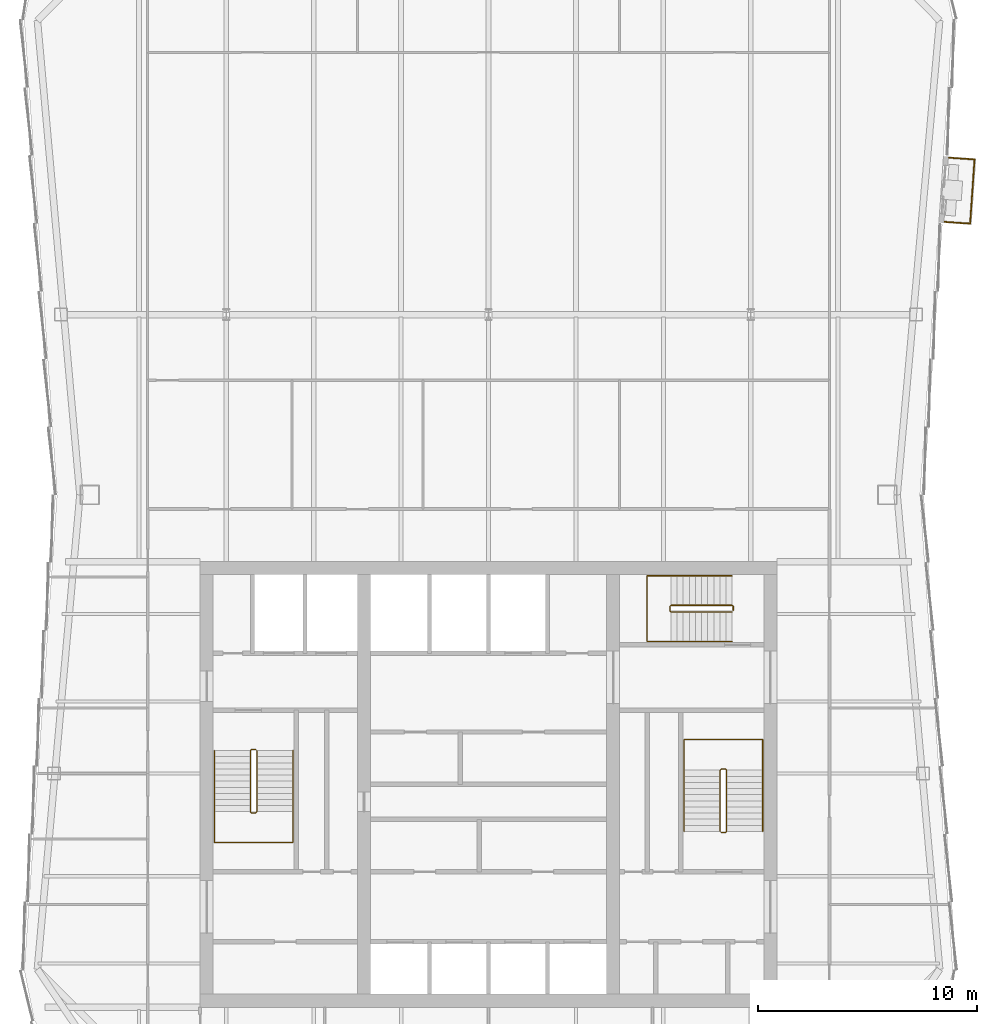
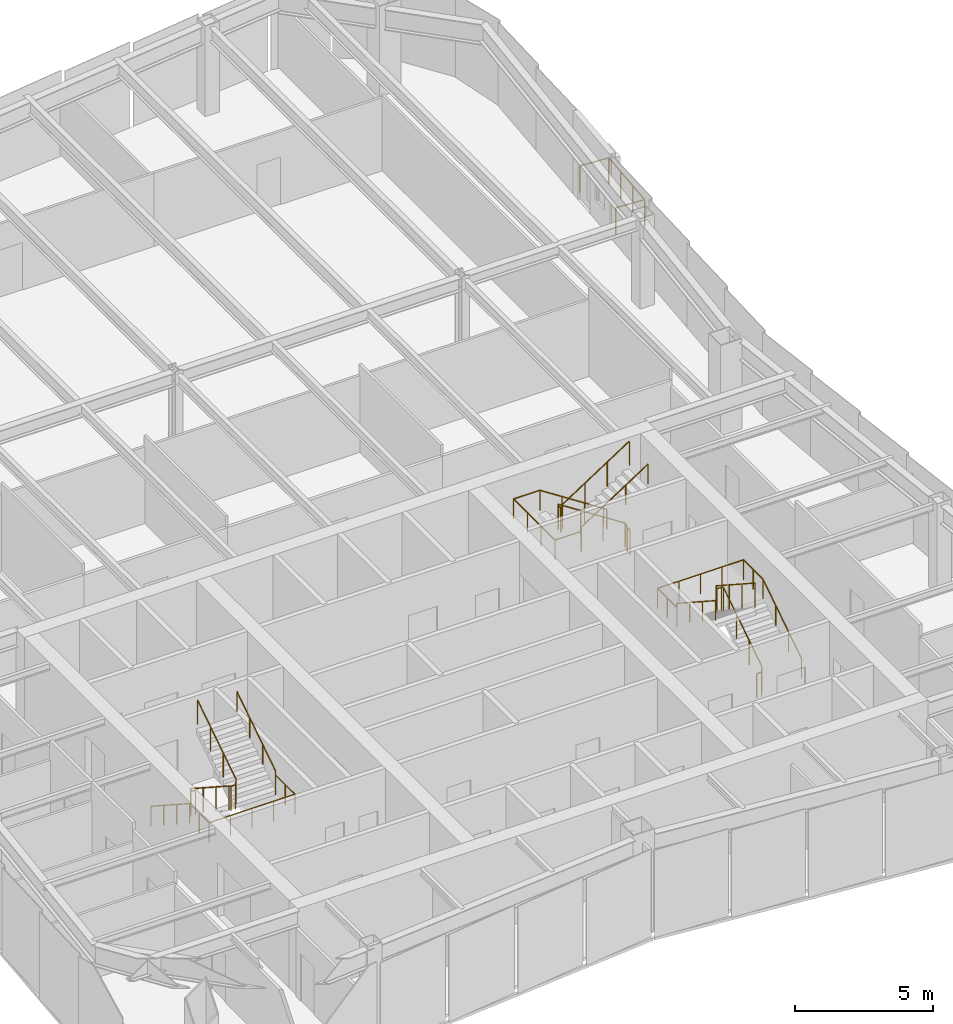
# One storey, part 9 of 10: 7 railings.
"""IFC4 building model written with IfcOpenShell, lengths in metres."""

from ifc_helpers import new_model, si_unit, direction, frame, origin, origin_2d, place, context, subcontext, project, spatial, circle, extrude, material, type_object, element, save


model = new_model("IFC4")

# Units and contexts
model_context = context("Model", 3, precision=1e-05, world=origin(), true_north=direction((0.0, 1.0)))
body_context = subcontext(model_context, "Body", "Model", "MODEL_VIEW")
ifc_project = project(units=[si_unit("LENGTHUNIT", "METRE"), si_unit("AREAUNIT", "SQUARE_METRE"), si_unit("VOLUMEUNIT", "CUBIC_METRE"), si_unit("PLANEANGLEUNIT", "RADIAN"), si_unit("MASSUNIT", "GRAM", prefix="KILO")], contexts=[model_context])

# Site, building, storey
site_placement = place(None, origin())
site = spatial("IfcSite", under=ifc_project, at=site_placement, CompositionType="ELEMENT")
building_placement = place(site_placement, origin())
building = spatial("IfcBuilding", under=site, at=building_placement, Name="Verdant Reach Tower", CompositionType="ELEMENT")
storey_placement = place(building_placement, frame((0.0, 0.0, 322.0)))
storey = spatial("IfcBuildingStorey", under=building, at=storey_placement, Name="L74", CompositionType="ELEMENT", Elevation=322.0)

# Railings
ifc_material_1 = material(Name="Stainless steel", Category="steel")
railing_type_1 = type_object("IfcRailingType", Name="CO-GUARD", PredefinedType="GUARDRAIL", material=ifc_material_1)
railing_1_placement = place(storey_placement, frame((-10.64990234375, 29.60009765625, 0.0)))
element("IfcRailing", 1, at=railing_1_placement, inside=storey, type_object=railing_type_1, Name="L74 ST-1 stair guard 1", PredefinedType="GUARDRAIL", context=body_context, shape_type="SweptSolid", body=[
    extrude(circle(Radius=0.02392578125, at=origin_2d()), frame((0.0, 0.0, 1.076171875), z_axis=(-1.0, 0.0, 0.0), x_axis=(0.0, -1.0, 0.0)), (0.0, 0.0, 1.0), 0.2001953125),
    extrude(circle(Radius=0.02392578125, at=origin_2d()), frame((-0.2001953125, 0.0, 1.076171875), z_axis=(-0.25526617399, -0.256517478764, 0.932222056972), x_axis=(0.708833529934, -0.705375805398, 0.0)), (0.0, 0.0, 1.0), 0.195068359375),
    extrude(circle(Radius=0.02392578125, at=origin_2d()), frame((-0.25, -0.050048828125, 1.2578125), z_axis=(0.0, -0.838705829183, 0.544584733623), x_axis=(1.0, 0.0, 0.0)), (0.0, 0.0, 1.0), 3.338623046875),
    extrude(circle(Radius=0.02392578125, at=origin_2d()), frame((-0.25, -2.85009765625, 3.076171875), z_axis=(0.705375805398, -0.708833529934, 0.0), x_axis=(0.708833529934, 0.705375805398, 0.0)), (0.0, 0.0, 1.0), 0.070556640625),
    extrude(circle(Radius=0.02392578125, at=origin_2d()), frame((-0.2001953125, -2.900146484375, 3.076171875), z_axis=(1.0, 0.0, 0.0), x_axis=(0.0, 1.0, 0.0)), (0.0, 0.0, 1.0), 0.2001953125),
    extrude(circle(Radius=0.02392578125, at=origin_2d()), frame((0.0, -2.900146484375, 3.076171875), z_axis=(0.25526617399, 0.256517478764, 0.932222056972), x_axis=(-0.708833529934, 0.705375805398, 0.0)), (0.0, 0.0, 1.0), 0.195068359375),
    extrude(circle(Radius=0.02392578125, at=origin_2d()), frame((0.0498046875, -2.85009765625, 3.2578125), z_axis=(0.0, 0.838705829183, 0.544584733623), x_axis=(-1.0, 0.0, 0.0)), (0.0, 0.0, 1.0), 3.338623046875),
    extrude(circle(Radius=0.02099609375, at=origin_2d()), origin(), (0.0, 0.0, 1.0), 1.052001953125),
    extrude(circle(Radius=0.02099609375, at=origin_2d()), frame((-0.2001953125, 0.0, 0.0)), (0.0, 0.0, 1.0), 1.052001953125),
    extrude(circle(Radius=0.02099609375, at=origin_2d()), frame((-0.25, -0.050048828125, 0.181884765625)), (0.0, 0.0, 1.0), 1.052001953125),
    extrude(circle(Radius=0.02099609375, at=origin_2d()), frame((-0.25, -0.9833984375, 0.787841796875)), (0.0, 0.0, 1.0), 1.052001953125),
    extrude(circle(Radius=0.02099609375, at=origin_2d()), frame((-0.25, -1.916748046875, 1.39404296875)), (0.0, 0.0, 1.0), 1.052001953125),
    extrude(circle(Radius=0.02099609375, at=origin_2d()), frame((-0.25, -2.85009765625, 2.0)), (0.0, 0.0, 1.0), 1.052001953125),
    extrude(circle(Radius=0.02099609375, at=origin_2d()), frame((-0.2001953125, -2.900146484375, 2.0)), (0.0, 0.0, 1.0), 1.052001953125),
    extrude(circle(Radius=0.02099609375, at=origin_2d()), frame((0.0, -2.900146484375, 2.0)), (0.0, 0.0, 1.0), 1.052001953125),
    extrude(circle(Radius=0.02099609375, at=origin_2d()), frame((0.0498046875, -2.85009765625, 2.181884765625)), (0.0, 0.0, 1.0), 1.052001953125),
    extrude(circle(Radius=0.02099609375, at=origin_2d()), frame((0.0498046875, -1.916748046875, 2.787841796875)), (0.0, 0.0, 1.0), 1.052001953125),
    extrude(circle(Radius=0.02099609375, at=origin_2d()), frame((0.0498046875, -0.9833984375, 3.39404296875)), (0.0, 0.0, 1.0), 1.052001953125),
    extrude(circle(Radius=0.02099609375, at=origin_2d()), frame((0.0498046875, -0.050048828125, 4.0)), (0.0, 0.0, 1.0), 1.052001953125),
])
railing_2_placement = place(storey_placement, frame((10.64990234375, 25.800048828125, 0.0)))
element("IfcRailing", 2, at=railing_2_placement, inside=storey, type_object=railing_type_1, Name="L74 ST-2 stair guard 1", PredefinedType="GUARDRAIL", context=body_context, shape_type="SweptSolid", body=[
    extrude(circle(Radius=0.02392578125, at=origin_2d()), frame((0.0, 0.0, 1.076171875), z_axis=(1.0, 0.0, 0.0), x_axis=(0.0, 1.0, 0.0)), (0.0, 0.0, 1.0), 0.2001953125),
    extrude(circle(Radius=0.02392578125, at=origin_2d()), frame((0.2001953125, 0.0, 1.076171875), z_axis=(0.25526617399, 0.256517478764, 0.932222056972), x_axis=(-0.708833529934, 0.705375805398, 0.0)), (0.0, 0.0, 1.0), 0.195068359375),
    extrude(circle(Radius=0.02392578125, at=origin_2d()), frame((0.25, 0.050048828125, 1.2578125), z_axis=(0.0, 0.83868413941, 0.544618136222), x_axis=(-1.0, 0.0, 0.0)), (0.0, 0.0, 1.0), 3.33837890625),
    extrude(circle(Radius=0.02392578125, at=origin_2d()), frame((0.25, 2.849853515625, 3.076171875), z_axis=(-0.705375805398, 0.708833529934, 0.0), x_axis=(-0.708833529934, -0.705375805398, 0.0)), (0.0, 0.0, 1.0), 0.070556640625),
    extrude(circle(Radius=0.02392578125, at=origin_2d()), frame((0.2001953125, 2.89990234375, 3.076171875), z_axis=(-1.0, 0.0, 0.0), x_axis=(0.0, -1.0, 0.0)), (0.0, 0.0, 1.0), 0.2001953125),
    extrude(circle(Radius=0.02392578125, at=origin_2d()), frame((0.0, 2.89990234375, 3.076171875), z_axis=(-0.25526617399, -0.256517478764, 0.932222056972), x_axis=(0.708833529934, -0.705375805398, 0.0)), (0.0, 0.0, 1.0), 0.195068359375),
    extrude(circle(Radius=0.02392578125, at=origin_2d()), frame((-0.0498046875, 2.849853515625, 3.2578125), z_axis=(0.0, -0.83868413941, 0.544618136222), x_axis=(1.0, 0.0, 0.0)), (0.0, 0.0, 1.0), 3.33837890625),
    extrude(circle(Radius=0.02099609375, at=origin_2d()), origin(), (0.0, 0.0, 1.0), 1.052001953125),
    extrude(circle(Radius=0.02099609375, at=origin_2d()), frame((0.2001953125, 0.0, 0.0)), (0.0, 0.0, 1.0), 1.052001953125),
    extrude(circle(Radius=0.02099609375, at=origin_2d()), frame((0.25, 0.050048828125, 0.181884765625)), (0.0, 0.0, 1.0), 1.052001953125),
    extrude(circle(Radius=0.02099609375, at=origin_2d()), frame((0.25, 0.9833984375, 0.787841796875)), (0.0, 0.0, 1.0), 1.052001953125),
    extrude(circle(Radius=0.02099609375, at=origin_2d()), frame((0.25, 1.91650390625, 1.39404296875)), (0.0, 0.0, 1.0), 1.052001953125),
    extrude(circle(Radius=0.02099609375, at=origin_2d()), frame((0.25, 2.849853515625, 2.0)), (0.0, 0.0, 1.0), 1.052001953125),
    extrude(circle(Radius=0.02099609375, at=origin_2d()), frame((0.2001953125, 2.89990234375, 2.0)), (0.0, 0.0, 1.0), 1.052001953125),
    extrude(circle(Radius=0.02099609375, at=origin_2d()), frame((0.0, 2.89990234375, 2.0)), (0.0, 0.0, 1.0), 1.052001953125),
    extrude(circle(Radius=0.02099609375, at=origin_2d()), frame((-0.0498046875, 2.849853515625, 2.181884765625)), (0.0, 0.0, 1.0), 1.052001953125),
    extrude(circle(Radius=0.02099609375, at=origin_2d()), frame((-0.0498046875, 1.91650390625, 2.787841796875)), (0.0, 0.0, 1.0), 1.052001953125),
    extrude(circle(Radius=0.02099609375, at=origin_2d()), frame((-0.0498046875, 0.9833984375, 3.39404296875)), (0.0, 0.0, 1.0), 1.052001953125),
    extrude(circle(Radius=0.02099609375, at=origin_2d()), frame((-0.0498046875, 0.050048828125, 4.0)), (0.0, 0.0, 1.0), 1.052001953125),
])
railing_3_placement = place(storey_placement, frame((11.199951171875, 35.949951171875, 0.0)))
element("IfcRailing", 3, at=railing_3_placement, inside=storey, type_object=railing_type_1, Name="L74 ST-3 stair guard 1", PredefinedType="GUARDRAIL", context=body_context, shape_type="SweptSolid", body=[
    extrude(circle(Radius=0.02392578125, at=origin_2d()), frame((0.0, 0.0, 1.076171875), z_axis=(0.0, 1.0, 0.0), x_axis=(-1.0, 0.0, 0.0)), (0.0, 0.0, 1.0), 0.199951171875),
    extrude(circle(Radius=0.02392578125, at=origin_2d()), frame((0.0, 0.199951171875, 1.076171875), z_axis=(-0.256435381639, 0.256435381639, 0.931923704005), x_axis=(-0.707106781187, -0.707106781187, 0.0)), (0.0, 0.0, 1.0), 0.195068359375),
    extrude(circle(Radius=0.02392578125, at=origin_2d()), frame((-0.050048828125, 0.25, 1.2578125), z_axis=(-0.83868413941, 0.0, 0.544618136222), x_axis=(0.0, -1.0, 0.0)), (0.0, 0.0, 1.0), 3.33837890625),
    extrude(circle(Radius=0.02392578125, at=origin_2d()), frame((-2.849853515625, 0.25, 3.076171875), z_axis=(-0.707106781187, -0.707106781187, 0.0), x_axis=(0.707106781187, -0.707106781187, 0.0)), (0.0, 0.0, 1.0), 0.07080078125),
    extrude(circle(Radius=0.02392578125, at=origin_2d()), frame((-2.89990234375, 0.199951171875, 3.076171875), z_axis=(0.0, -1.0, 0.0), x_axis=(1.0, 0.0, 0.0)), (0.0, 0.0, 1.0), 0.199951171875),
    extrude(circle(Radius=0.02392578125, at=origin_2d()), frame((-2.89990234375, 0.0, 3.076171875), z_axis=(0.256435381639, -0.256435381639, 0.931923704005), x_axis=(0.707106781187, 0.707106781187, 0.0)), (0.0, 0.0, 1.0), 0.195068359375),
    extrude(circle(Radius=0.02392578125, at=origin_2d()), frame((-2.849853515625, -0.050048828125, 3.2578125), z_axis=(0.83868413941, 0.0, 0.544618136222), x_axis=(0.0, 1.0, 0.0)), (0.0, 0.0, 1.0), 3.33837890625),
    extrude(circle(Radius=0.02099609375, at=origin_2d()), origin(), (0.0, 0.0, 1.0), 1.052001953125),
    extrude(circle(Radius=0.02099609375, at=origin_2d()), frame((0.0, 0.199951171875, 0.0)), (0.0, 0.0, 1.0), 1.052001953125),
    extrude(circle(Radius=0.02099609375, at=origin_2d()), frame((-0.050048828125, 0.25, 0.181884765625)), (0.0, 0.0, 1.0), 1.052001953125),
    extrude(circle(Radius=0.02099609375, at=origin_2d()), frame((-0.9833984375, 0.25, 0.787841796875)), (0.0, 0.0, 1.0), 1.052001953125),
    extrude(circle(Radius=0.02099609375, at=origin_2d()), frame((-1.91650390625, 0.25, 1.39404296875)), (0.0, 0.0, 1.0), 1.052001953125),
    extrude(circle(Radius=0.02099609375, at=origin_2d()), frame((-2.849853515625, 0.25, 2.0)), (0.0, 0.0, 1.0), 1.052001953125),
    extrude(circle(Radius=0.02099609375, at=origin_2d()), frame((-2.89990234375, 0.199951171875, 2.0)), (0.0, 0.0, 1.0), 1.052001953125),
    extrude(circle(Radius=0.02099609375, at=origin_2d()), frame((-2.89990234375, 0.0, 2.0)), (0.0, 0.0, 1.0), 1.052001953125),
    extrude(circle(Radius=0.02099609375, at=origin_2d()), frame((-2.849853515625, -0.050048828125, 2.181884765625)), (0.0, 0.0, 1.0), 1.052001953125),
    extrude(circle(Radius=0.02099609375, at=origin_2d()), frame((-1.91650390625, -0.050048828125, 2.787841796875)), (0.0, 0.0, 1.0), 1.052001953125),
    extrude(circle(Radius=0.02099609375, at=origin_2d()), frame((-0.9833984375, -0.050048828125, 3.39404296875)), (0.0, 0.0, 1.0), 1.052001953125),
    extrude(circle(Radius=0.02099609375, at=origin_2d()), frame((-0.050048828125, -0.050048828125, 4.0)), (0.0, 0.0, 1.0), 1.052001953125),
])
railing_type_2 = type_object("IfcRailingType", Name="CO-HANDRAIL", PredefinedType="HANDRAIL", material=ifc_material_1)
railing_4_placement = place(storey_placement, frame((-12.550048828125, 29.550048828125, 0.181884765625)))
element("IfcRailing", 4, at=railing_4_placement, inside=storey, type_object=railing_type_2, Name="L74 ST-1 stair handrail 1", PredefinedType="HANDRAIL", context=body_context, shape_type="SweptSolid", body=[
    extrude(circle(Radius=0.02392578125, at=origin_2d()), frame((0.0, 0.0, 0.8759765625), z_axis=(0.0, -0.838705829183, 0.544584733623), x_axis=(1.0, 0.0, 0.0)), (0.0, 0.0, 1.0), 3.338623046875),
    extrude(circle(Radius=0.02392578125, at=origin_2d()), frame((0.0, -2.800048828125, 2.69384765625), z_axis=(0.0, -1.0, 0.0), x_axis=(1.0, 0.0, 0.0)), (0.0, 0.0, 1.0), 1.39990234375),
    extrude(circle(Radius=0.02392578125, at=origin_2d()), frame((0.0, -4.199951171875, 2.69384765625), z_axis=(1.0, 0.0, 0.0), x_axis=(0.0, 1.0, 0.0)), (0.0, 0.0, 1.0), 3.60009765625),
    extrude(circle(Radius=0.02392578125, at=origin_2d()), frame((3.60009765625, -4.199951171875, 2.69384765625), z_axis=(0.0, 1.0, 0.0), x_axis=(-1.0, 0.0, 0.0)), (0.0, 0.0, 1.0), 1.39990234375),
    extrude(circle(Radius=0.02392578125, at=origin_2d()), frame((3.60009765625, -2.800048828125, 2.69384765625), z_axis=(0.0, 0.0, 1.0), x_axis=(1.0, 0.0, 0.0)), (0.0, 0.0, 1.0), 0.181884765625),
    extrude(circle(Radius=0.02392578125, at=origin_2d()), frame((3.60009765625, -2.800048828125, 2.8759765625), z_axis=(0.0, 0.838705829183, 0.544584733623), x_axis=(-1.0, 0.0, 0.0)), (0.0, 0.0, 1.0), 3.338623046875),
    extrude(circle(Radius=0.02099609375, at=origin_2d()), origin(), (0.0, 0.0, 1.0), 0.851806640625),
    extrude(circle(Radius=0.02099609375, at=origin_2d()), frame((0.0, -0.933349609375, 0.60595703125)), (0.0, 0.0, 1.0), 0.851806640625),
    extrude(circle(Radius=0.02099609375, at=origin_2d()), frame((0.0, -1.86669921875, 1.212158203125)), (0.0, 0.0, 1.0), 0.851806640625),
    extrude(circle(Radius=0.02099609375, at=origin_2d()), frame((0.0, -2.800048828125, 1.818115234375)), (0.0, 0.0, 1.0), 0.851806640625),
    extrude(circle(Radius=0.02099609375, at=origin_2d()), frame((0.0, -3.5, 1.818115234375)), (0.0, 0.0, 1.0), 0.851806640625),
    extrude(circle(Radius=0.02099609375, at=origin_2d()), frame((0.0, -4.199951171875, 1.818115234375)), (0.0, 0.0, 1.0), 0.851806640625),
    extrude(circle(Radius=0.02099609375, at=origin_2d()), frame((0.89990234375, -4.199951171875, 1.818115234375)), (0.0, 0.0, 1.0), 0.851806640625),
    extrude(circle(Radius=0.02099609375, at=origin_2d()), frame((1.800048828125, -4.199951171875, 1.818115234375)), (0.0, 0.0, 1.0), 0.851806640625),
    extrude(circle(Radius=0.02099609375, at=origin_2d()), frame((2.7001953125, -4.199951171875, 1.818115234375)), (0.0, 0.0, 1.0), 0.851806640625),
    extrude(circle(Radius=0.02099609375, at=origin_2d()), frame((3.60009765625, -4.199951171875, 1.818115234375)), (0.0, 0.0, 1.0), 0.851806640625),
    extrude(circle(Radius=0.02099609375, at=origin_2d()), frame((3.60009765625, -3.5, 1.818115234375)), (0.0, 0.0, 1.0), 0.851806640625),
    extrude(circle(Radius=0.02099609375, at=origin_2d()), frame((3.60009765625, -2.800048828125, 1.818115234375)), (0.0, 0.0, 1.0), 0.851806640625),
    extrude(circle(Radius=0.02099609375, at=origin_2d()), frame((3.60009765625, -2.800048828125, 2.0)), (0.0, 0.0, 1.0), 0.851806640625),
    extrude(circle(Radius=0.02099609375, at=origin_2d()), frame((3.60009765625, -1.86669921875, 2.60595703125)), (0.0, 0.0, 1.0), 0.851806640625),
    extrude(circle(Radius=0.02099609375, at=origin_2d()), frame((3.60009765625, -0.933349609375, 3.212158203125)), (0.0, 0.0, 1.0), 0.851806640625),
    extrude(circle(Radius=0.02099609375, at=origin_2d()), frame((3.60009765625, 0.0, 3.818115234375)), (0.0, 0.0, 1.0), 0.851806640625),
])
railing_5_placement = place(storey_placement, frame((12.550048828125, 25.85009765625, 0.181884765625)))
element("IfcRailing", 5, at=railing_5_placement, inside=storey, type_object=railing_type_2, Name="L74 ST-2 stair handrail 1", PredefinedType="HANDRAIL", context=body_context, shape_type="SweptSolid", body=[
    extrude(circle(Radius=0.02392578125, at=origin_2d()), frame((0.0, 0.0, 0.8759765625), z_axis=(0.0, 0.83868413941, 0.544618136222), x_axis=(-1.0, 0.0, 0.0)), (0.0, 0.0, 1.0), 3.33837890625),
    extrude(circle(Radius=0.02392578125, at=origin_2d()), frame((0.0, 2.7998046875, 2.69384765625), z_axis=(0.0, 1.0, 0.0), x_axis=(-1.0, 0.0, 0.0)), (0.0, 0.0, 1.0), 1.400146484375),
    extrude(circle(Radius=0.02392578125, at=origin_2d()), frame((0.0, 4.199951171875, 2.69384765625), z_axis=(-1.0, 0.0, 0.0), x_axis=(0.0, -1.0, 0.0)), (0.0, 0.0, 1.0), 3.60009765625),
    extrude(circle(Radius=0.02392578125, at=origin_2d()), frame((-3.60009765625, 4.199951171875, 2.69384765625), z_axis=(0.0, -1.0, 0.0), x_axis=(1.0, 0.0, 0.0)), (0.0, 0.0, 1.0), 1.400146484375),
    extrude(circle(Radius=0.02392578125, at=origin_2d()), frame((-3.60009765625, 2.7998046875, 2.69384765625), z_axis=(0.0, 0.0, 1.0), x_axis=(1.0, 0.0, 0.0)), (0.0, 0.0, 1.0), 0.181884765625),
    extrude(circle(Radius=0.02392578125, at=origin_2d()), frame((-3.60009765625, 2.7998046875, 2.8759765625), z_axis=(0.0, -0.83868413941, 0.544618136222), x_axis=(1.0, 0.0, 0.0)), (0.0, 0.0, 1.0), 3.33837890625),
    extrude(circle(Radius=0.02099609375, at=origin_2d()), origin(), (0.0, 0.0, 1.0), 0.851806640625),
    extrude(circle(Radius=0.02099609375, at=origin_2d()), frame((0.0, 0.933349609375, 0.60595703125)), (0.0, 0.0, 1.0), 0.851806640625),
    extrude(circle(Radius=0.02099609375, at=origin_2d()), frame((0.0, 1.866455078125, 1.212158203125)), (0.0, 0.0, 1.0), 0.851806640625),
    extrude(circle(Radius=0.02099609375, at=origin_2d()), frame((0.0, 2.7998046875, 1.818115234375)), (0.0, 0.0, 1.0), 0.851806640625),
    extrude(circle(Radius=0.02099609375, at=origin_2d()), frame((0.0, 3.5, 1.818115234375)), (0.0, 0.0, 1.0), 0.851806640625),
    extrude(circle(Radius=0.02099609375, at=origin_2d()), frame((0.0, 4.199951171875, 1.818115234375)), (0.0, 0.0, 1.0), 0.851806640625),
    extrude(circle(Radius=0.02099609375, at=origin_2d()), frame((-0.89990234375, 4.199951171875, 1.818115234375)), (0.0, 0.0, 1.0), 0.851806640625),
    extrude(circle(Radius=0.02099609375, at=origin_2d()), frame((-1.800048828125, 4.199951171875, 1.818115234375)), (0.0, 0.0, 1.0), 0.851806640625),
    extrude(circle(Radius=0.02099609375, at=origin_2d()), frame((-2.7001953125, 4.199951171875, 1.818115234375)), (0.0, 0.0, 1.0), 0.851806640625),
    extrude(circle(Radius=0.02099609375, at=origin_2d()), frame((-3.60009765625, 4.199951171875, 1.818115234375)), (0.0, 0.0, 1.0), 0.851806640625),
    extrude(circle(Radius=0.02099609375, at=origin_2d()), frame((-3.60009765625, 3.5, 1.818115234375)), (0.0, 0.0, 1.0), 0.851806640625),
    extrude(circle(Radius=0.02099609375, at=origin_2d()), frame((-3.60009765625, 2.7998046875, 1.818115234375)), (0.0, 0.0, 1.0), 0.851806640625),
    extrude(circle(Radius=0.02099609375, at=origin_2d()), frame((-3.60009765625, 2.7998046875, 2.0)), (0.0, 0.0, 1.0), 0.851806640625),
    extrude(circle(Radius=0.02099609375, at=origin_2d()), frame((-3.60009765625, 1.866455078125, 2.60595703125)), (0.0, 0.0, 1.0), 0.851806640625),
    extrude(circle(Radius=0.02099609375, at=origin_2d()), frame((-3.60009765625, 0.933349609375, 3.212158203125)), (0.0, 0.0, 1.0), 0.851806640625),
    extrude(circle(Radius=0.02099609375, at=origin_2d()), frame((-3.60009765625, 0.0, 3.818115234375)), (0.0, 0.0, 1.0), 0.851806640625),
])
railing_6_placement = place(storey_placement, frame((11.14990234375, 37.550048828125, 0.181884765625)))
element("IfcRailing", 6, at=railing_6_placement, inside=storey, type_object=railing_type_2, Name="L74 ST-3 stair handrail 1", PredefinedType="HANDRAIL", context=body_context, shape_type="SweptSolid", body=[
    extrude(circle(Radius=0.02392578125, at=origin_2d()), frame((0.0, 0.0, 0.8759765625), z_axis=(-0.83868413941, 0.0, 0.544618136222), x_axis=(0.0, -1.0, 0.0)), (0.0, 0.0, 1.0), 3.33837890625),
    extrude(circle(Radius=0.02392578125, at=origin_2d()), frame((-2.7998046875, 0.0, 2.69384765625), z_axis=(-1.0, 0.0, 0.0), x_axis=(0.0, -1.0, 0.0)), (0.0, 0.0, 1.0), 1.10009765625),
    extrude(circle(Radius=0.02392578125, at=origin_2d()), frame((-3.89990234375, 0.0, 2.69384765625), z_axis=(0.0, -1.0, 0.0), x_axis=(1.0, 0.0, 0.0)), (0.0, 0.0, 1.0), 3.0),
    extrude(circle(Radius=0.02392578125, at=origin_2d()), frame((-3.89990234375, -3.0, 2.69384765625), z_axis=(1.0, 0.0, 0.0), x_axis=(0.0, 1.0, 0.0)), (0.0, 0.0, 1.0), 1.10009765625),
    extrude(circle(Radius=0.02392578125, at=origin_2d()), frame((-2.7998046875, -3.0, 2.69384765625), z_axis=(0.0, 0.0, 1.0), x_axis=(1.0, 0.0, 0.0)), (0.0, 0.0, 1.0), 0.181884765625),
    extrude(circle(Radius=0.02392578125, at=origin_2d()), frame((-2.7998046875, -3.0, 2.8759765625), z_axis=(0.83868413941, 0.0, 0.544618136222), x_axis=(0.0, 1.0, 0.0)), (0.0, 0.0, 1.0), 3.33837890625),
    extrude(circle(Radius=0.02099609375, at=origin_2d()), origin(), (0.0, 0.0, 1.0), 0.851806640625),
    extrude(circle(Radius=0.02099609375, at=origin_2d()), frame((-0.933349609375, 0.0, 0.60595703125)), (0.0, 0.0, 1.0), 0.851806640625),
    extrude(circle(Radius=0.02099609375, at=origin_2d()), frame((-1.866455078125, 0.0, 1.212158203125)), (0.0, 0.0, 1.0), 0.851806640625),
    extrude(circle(Radius=0.02099609375, at=origin_2d()), frame((-2.7998046875, 0.0, 1.818115234375)), (0.0, 0.0, 1.0), 0.851806640625),
    extrude(circle(Radius=0.02099609375, at=origin_2d()), frame((-3.89990234375, 0.0, 1.818115234375)), (0.0, 0.0, 1.0), 0.851806640625),
    extrude(circle(Radius=0.02099609375, at=origin_2d()), frame((-3.89990234375, -1.0, 1.818115234375)), (0.0, 0.0, 1.0), 0.851806640625),
    extrude(circle(Radius=0.02099609375, at=origin_2d()), frame((-3.89990234375, -2.0, 1.818115234375)), (0.0, 0.0, 1.0), 0.851806640625),
    extrude(circle(Radius=0.02099609375, at=origin_2d()), frame((-3.89990234375, -3.0, 1.818115234375)), (0.0, 0.0, 1.0), 0.851806640625),
    extrude(circle(Radius=0.02099609375, at=origin_2d()), frame((-2.7998046875, -3.0, 1.818115234375)), (0.0, 0.0, 1.0), 0.851806640625),
    extrude(circle(Radius=0.02099609375, at=origin_2d()), frame((-2.7998046875, -3.0, 2.0)), (0.0, 0.0, 1.0), 0.851806640625),
    extrude(circle(Radius=0.02099609375, at=origin_2d()), frame((-1.866455078125, -3.0, 2.60595703125)), (0.0, 0.0, 1.0), 0.851806640625),
    extrude(circle(Radius=0.02099609375, at=origin_2d()), frame((-0.933349609375, -3.0, 3.212158203125)), (0.0, 0.0, 1.0), 0.851806640625),
    extrude(circle(Radius=0.02099609375, at=origin_2d()), frame((0.0, -3.0, 3.818115234375)), (0.0, 0.0, 1.0), 0.851806640625),
])
ifc_material_2 = material(Name="Stainless steel and laminated glass balustrade", Category="steel")
railing_type_3 = type_object("IfcRailingType", Name="EN-RAILING BALCONY", PredefinedType="GUARDRAIL", material=ifc_material_2)
railing_7_placement = place(storey_placement, frame((20.872314453125, 53.745361328125, 0.0)))
element("IfcRailing", 7, at=railing_7_placement, inside=storey, type_object=railing_type_3, Name="Balcony guard 1, L74", PredefinedType="GUARDRAIL", context=body_context, shape_type="SweptSolid", body=[
    extrude(circle(Radius=0.02490234375, at=origin_2d()), frame((0.0, 0.0, 1.1748046875), z_axis=(0.997640688741, -0.068651701861, 0.0), x_axis=(0.068651701861, 0.997640688741, 0.0)), (0.0, 0.0, 1.0), 1.169921875),
    extrude(circle(Radius=0.02490234375, at=origin_2d()), frame((1.167236328125, -0.080322265625, 1.1748046875), z_axis=(0.068819165156, 0.997629150791, 0.0), x_axis=(-0.997629150791, 0.068819165156, 0.0)), (0.0, 0.0, 1.0), 2.944580078125),
    extrude(circle(Radius=0.02490234375, at=origin_2d()), frame((1.369873046875, 2.857177734375, 1.1748046875), z_axis=(-0.997626375729, 0.068859381717, 0.0), x_axis=(-0.068859381717, -0.997626375729, 0.0)), (0.0, 0.0, 1.0), 1.169921875),
    extrude(circle(Radius=0.02490234375, at=origin_2d()), origin(), (0.0, 0.0, 1.0), 1.14990234375),
    extrude(circle(Radius=0.02490234375, at=origin_2d()), frame((1.167236328125, -0.080322265625, 0.0)), (0.0, 0.0, 1.0), 1.14990234375),
    extrude(circle(Radius=0.02490234375, at=origin_2d()), frame((1.23486328125, 0.89892578125, 0.0)), (0.0, 0.0, 1.0), 1.14990234375),
    extrude(circle(Radius=0.02490234375, at=origin_2d()), frame((1.30224609375, 1.8779296875, 0.0)), (0.0, 0.0, 1.0), 1.14990234375),
    extrude(circle(Radius=0.02490234375, at=origin_2d()), frame((1.369873046875, 2.857177734375, 0.0)), (0.0, 0.0, 1.0), 1.14990234375),
    extrude(circle(Radius=0.02490234375, at=origin_2d()), frame((0.20263671875, 2.937744140625, 0.0)), (0.0, 0.0, 1.0), 1.14990234375),
])

save(model, "model.ifc")
